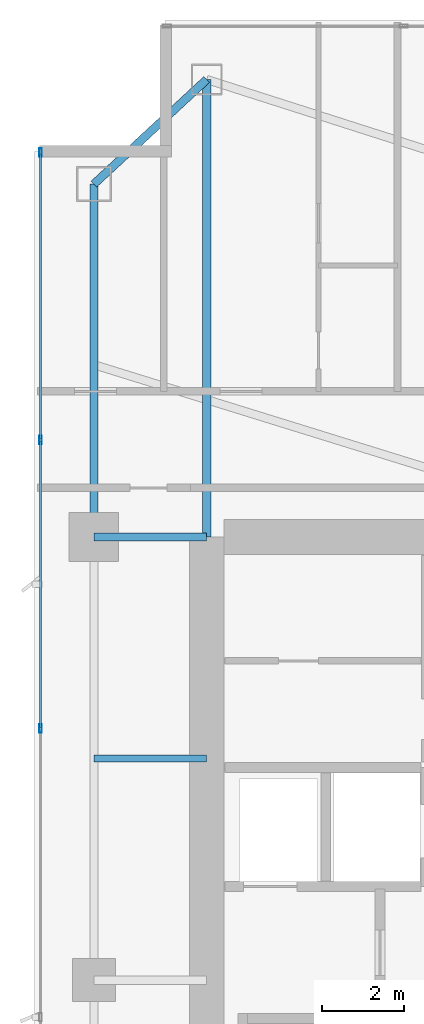
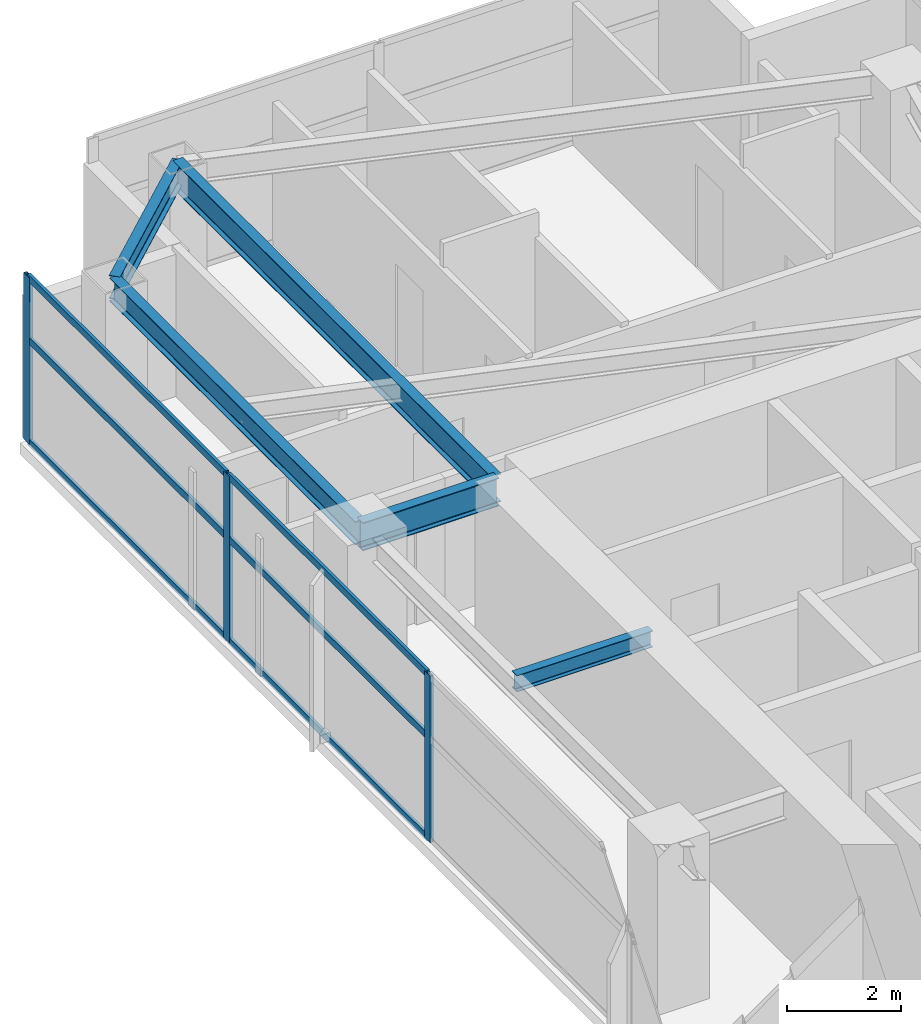
# One storey, part 16 of 28: 9 members, 5 beams, 1 element without a shape of its own.
"""IFC4 building model written with IfcOpenShell, lengths in metres."""

from ifc_helpers import new_model, si_unit, direction, frame, origin, origin_2d, place, context, subcontext, project, spatial, hollow_rectangle, i_section, extrude, material, layer, layer_set, material_profile, profile_set, type_object, element, aggregate, save


model = new_model("IFC4")

# Units and contexts
model_context = context("Model", 3, precision=1e-05, world=origin(), true_north=direction((0.0, 1.0)))
body_context = subcontext(model_context, "Body", "Model", "MODEL_VIEW")
ifc_project = project(units=[si_unit("LENGTHUNIT", "METRE"), si_unit("AREAUNIT", "SQUARE_METRE"), si_unit("VOLUMEUNIT", "CUBIC_METRE"), si_unit("PLANEANGLEUNIT", "RADIAN"), si_unit("MASSUNIT", "GRAM", prefix="KILO")], contexts=[model_context])

# Site, building, storey
site_placement = place(None, origin())
site = spatial("IfcSite", under=ifc_project, at=site_placement, CompositionType="ELEMENT")
building_placement = place(site_placement, origin())
building = spatial("IfcBuilding", under=site, at=building_placement, Name="Calvorn Quay Hotel", CompositionType="ELEMENT")
storey_placement = place(building_placement, frame((0.0, 0.0, 156.10009765625)))
storey = spatial("IfcBuildingStorey", under=building, at=storey_placement, Name="L38", CompositionType="ELEMENT", Elevation=156.10009765625)

# Beams
ifc_material_1 = material(Name="Steel Q355B", Category="steel")
ifc_material_profile_1 = material_profile(ifc_material_1, i_section(OverallWidth=0.199951171875, OverallDepth=0.60009765625, WebThickness=0.010986328125, FlangeThickness=0.01708984375, FilletRadius=0.01806640625, at=origin_2d()), Name="HN600x200x11x17")
ifc_profile_set_1 = profile_set([ifc_material_profile_1], Name="Steel Q355B")
beam_type_1 = type_object("IfcBeamType", Name="BM-GIRD-TYP", PredefinedType="BEAM", material=ifc_profile_set_1)
beam_1_placement = place(storey_placement, frame((1.449951171875, 38.39990234375, 3.239990234375), z_axis=(1.0, 0.0, 0.0), x_axis=(0.0, 1.0, 0.0)))
element("IfcBeam", 1, at=beam_1_placement, inside=storey, type_object=beam_type_1, Name="Beam BG-L38-W3", PredefinedType="BEAM", context=body_context, shape_type="SweptSolid", body=[
    extrude(i_section(OverallWidth=0.199951171875, OverallDepth=0.60009765625, WebThickness=0.010986328125, FlangeThickness=0.01708984375, FilletRadius=0.01806640625, at=origin_2d()), origin(), (0.0, 0.0, 1.0), 2.75),
])
beam_2_placement = place(storey_placement, frame((4.199951171875, 49.550048828125, 3.239990234375), z_axis=(0.0, -1.0, 0.0), x_axis=(1.0, 0.0, 0.0)))
element("IfcBeam", 2, at=beam_2_placement, inside=storey, type_object=beam_type_1, Name="Beam BG-L38-W5", PredefinedType="BEAM", context=body_context, shape_type="SweptSolid", body=[
    extrude(i_section(OverallWidth=0.199951171875, OverallDepth=0.60009765625, WebThickness=0.010986328125, FlangeThickness=0.01708984375, FilletRadius=0.01806640625, at=origin_2d()), origin(), (0.0, 0.0, 1.0), 11.150146484375),
])
ifc_material_2 = material(Name="Steel Q355B", Category="steel")
ifc_material_profile_2 = material_profile(ifc_material_2, i_section(OverallWidth=0.175048828125, OverallDepth=0.35009765625, WebThickness=0.007080078125, FlangeThickness=0.010986328125, FilletRadius=0.013916015625, at=origin_2d()), Name="HN350x175x7x11")
ifc_profile_set_2 = profile_set([ifc_material_profile_2], Name="Steel Q355B")
beam_type_2 = type_object("IfcBeamType", Name="BM-JOIST-SEC", PredefinedType="JOIST", material=ifc_profile_set_2)
beam_3_placement = place(storey_placement, frame((1.449951171875, 33.0, 3.364990234375), z_axis=(1.0, 0.0, 0.0), x_axis=(0.0, 1.0, 0.0)))
element("IfcBeam", 3, at=beam_3_placement, inside=storey, type_object=beam_type_2, Name="Beam BJ-L38-W4", PredefinedType="JOIST", context=body_context, shape_type="SweptSolid", body=[
    extrude(i_section(OverallWidth=0.175048828125, OverallDepth=0.35009765625, WebThickness=0.007080078125, FlangeThickness=0.010986328125, FilletRadius=0.013916015625, at=origin_2d()), origin(), (0.0, 0.0, 1.0), 2.75),
])
ifc_material_3 = material(Name="Steel Q355B", Category="steel")
ifc_material_profile_3 = material_profile(ifc_material_3, i_section(OverallWidth=0.199951171875, OverallDepth=0.5, WebThickness=0.010009765625, FlangeThickness=0.01611328125, FilletRadius=0.01611328125, at=origin_2d()), Name="HN500x200x10x16")
ifc_profile_set_3 = profile_set([ifc_material_profile_3], Name="Steel Q355B")
beam_type_3 = type_object("IfcBeamType", Name="BM-SPANDREL-Z1", PredefinedType="SPANDREL", material=ifc_profile_set_3)
beam_4_placement = place(storey_placement, frame((1.449951171875, 38.39990234375, 3.289794921875), z_axis=(0.0, 1.0, 0.0), x_axis=(-1.0, 0.0, 0.0)))
element("IfcBeam", 4, at=beam_4_placement, inside=storey, type_object=beam_type_3, Name="Beam BSP-L38-W4", PredefinedType="SPANDREL", context=body_context, shape_type="SweptSolid", body=[
    extrude(i_section(OverallWidth=0.199951171875, OverallDepth=0.5, WebThickness=0.010009765625, FlangeThickness=0.01611328125, FilletRadius=0.01611328125, at=origin_2d()), origin(), (0.0, 0.0, 1.0), 8.60009765625),
])
beam_5_placement = place(storey_placement, frame((1.449951171875, 47.0, 3.289794921875), z_axis=(0.733261665538, 0.679946563969, 0.0), x_axis=(-0.679946563969, 0.733261665538, 0.0)))
element("IfcBeam", 5, at=beam_5_placement, inside=storey, type_object=beam_type_3, Name="Beam BSP-L38-W5", PredefinedType="SPANDREL", context=body_context, shape_type="SweptSolid", body=[
    extrude(i_section(OverallWidth=0.199951171875, OverallDepth=0.5, WebThickness=0.010009765625, FlangeThickness=0.01611328125, FilletRadius=0.01611328125, at=origin_2d()), origin(), (0.0, 0.0, 1.0), 3.75048828125),
])

# Curtain wall, members
ifc_material_4 = material(Name="Pale Anodised Aluminium and Low-E Glass", Category="aluminium")
ifc_layer = layer(ifc_material_4, 0.219970703125)
ifc_layer_set = layer_set([ifc_layer], Name="CW-SYS-Z2")
curtain_wall_type = type_object("IfcCurtainWallType", Name="CW-SYS-Z2", PredefinedType="NOTDEFINED", material=ifc_layer_set)
curtain_wall_placement = place(storey_placement, origin())
curtain_wall = element("IfcCurtainWall", 6, at=curtain_wall_placement, inside=storey, type_object=curtain_wall_type, Name="Tower West Curtain Wall (L38)", PredefinedType="NOTDEFINED")
ifc_material_5 = material(Name="Pale Anodised Aluminium 6063-T6", Category="aluminium")
ifc_material_profile_4 = material_profile(ifc_material_5, hollow_rectangle(XDim=0.070068359375, YDim=0.199951171875, WallThickness=0.00390625, at=origin_2d()), Name="ALU-M200x70x4")
ifc_profile_set_4 = profile_set([ifc_material_profile_4], Name="Pale Anodised Aluminium 6063-T6")
member_type_1 = type_object("IfcMemberType", Name="CW-SYS-Z2-MUL", PredefinedType="MULLION", material=ifc_profile_set_4)
member_1_placement = place(storey_placement, frame((0.14990234375, 33.7333984375, 0.0), z_axis=(0.0, 0.0, 1.0), x_axis=(-1.0, 0.0, 0.0)))
member_1 = element("IfcMember", 7, at=member_1_placement, type_object=member_type_1, Name="CW-L38-W mullion 5", PredefinedType="MULLION", context=body_context, shape_type="SweptSolid", body=[
    extrude(hollow_rectangle(XDim=0.070068359375, YDim=0.199951171875, WallThickness=0.00390625, at=origin_2d()), origin(), (0.0, 0.0, 1.0), 3.559814453125),
])
member_2_placement = place(storey_placement, frame((0.14990234375, 40.7666015625, 0.0), z_axis=(0.0, 0.0, 1.0), x_axis=(-1.0, 0.0, 0.0)))
member_2 = element("IfcMember", 8, at=member_2_placement, type_object=member_type_1, Name="CW-L38-W mullion 6", PredefinedType="MULLION", context=body_context, shape_type="SweptSolid", body=[
    extrude(hollow_rectangle(XDim=0.070068359375, YDim=0.199951171875, WallThickness=0.00390625, at=origin_2d()), origin(), (0.0, 0.0, 1.0), 3.559814453125),
])
member_3_placement = place(storey_placement, frame((0.14990234375, 47.77001953125, 0.0), z_axis=(0.0, 0.0, 1.0), x_axis=(-1.0, 0.0, 0.0)))
member_3 = element("IfcMember", 9, at=member_3_placement, type_object=member_type_1, Name="CW-L38-W mullion 7", PredefinedType="MULLION", context=body_context, shape_type="SweptSolid", body=[
    extrude(hollow_rectangle(XDim=0.070068359375, YDim=0.199951171875, WallThickness=0.00390625, at=origin_2d()), origin(), (0.0, 0.0, 1.0), 3.559814453125),
])
ifc_material_6 = material(Name="Pale Anodised Aluminium 6063-T6", Category="aluminium")
ifc_material_profile_5 = material_profile(ifc_material_6, hollow_rectangle(XDim=0.06005859375, YDim=0.14990234375, WallThickness=0.00341796875, at=origin_2d()), Name="ALU-T150x60x3.5")
ifc_profile_set_5 = profile_set([ifc_material_profile_5], Name="Pale Anodised Aluminium 6063-T6")
member_type_2 = type_object("IfcMemberType", Name="CW-SYS-Z2-TRN", PredefinedType="USERDEFINED", material=ifc_profile_set_5)
member_4_placement = place(storey_placement, frame((0.14990234375, 33.763427734375, 0.02978515625), z_axis=(0.0, 1.0, 0.0), x_axis=(-1.0, 0.0, 0.0)))
member_4 = element("IfcMember", 10, at=member_4_placement, type_object=member_type_2, Name="CW-L38-W transom 5.1", ObjectType="TRANSOM", PredefinedType="USERDEFINED", context=body_context, shape_type="SweptSolid", body=[
    extrude(hollow_rectangle(XDim=0.06005859375, YDim=0.14990234375, WallThickness=0.00341796875, at=origin_2d()), origin(), (0.0, 0.0, 1.0), 6.97314453125),
])
member_5_placement = place(storey_placement, frame((0.14990234375, 33.763427734375, 2.199951171875), z_axis=(0.0, 1.0, 0.0), x_axis=(-1.0, 0.0, 0.0)))
member_5 = element("IfcMember", 11, at=member_5_placement, type_object=member_type_2, Name="CW-L38-W transom 5.2", ObjectType="TRANSOM", PredefinedType="USERDEFINED", context=body_context, shape_type="SweptSolid", body=[
    extrude(hollow_rectangle(XDim=0.06005859375, YDim=0.14990234375, WallThickness=0.00341796875, at=origin_2d()), origin(), (0.0, 0.0, 1.0), 6.97314453125),
])
member_6_placement = place(storey_placement, frame((0.14990234375, 33.763427734375, 3.52978515625), z_axis=(0.0, 1.0, 0.0), x_axis=(-1.0, 0.0, 0.0)))
member_6 = element("IfcMember", 12, at=member_6_placement, type_object=member_type_2, Name="CW-L38-W transom 5.3", ObjectType="TRANSOM", PredefinedType="USERDEFINED", context=body_context, shape_type="SweptSolid", body=[
    extrude(hollow_rectangle(XDim=0.06005859375, YDim=0.14990234375, WallThickness=0.00341796875, at=origin_2d()), origin(), (0.0, 0.0, 1.0), 6.97314453125),
])
member_7_placement = place(storey_placement, frame((0.14990234375, 40.796630859375, 0.02978515625), z_axis=(0.0, 1.0, 0.0), x_axis=(-1.0, 0.0, 0.0)))
member_7 = element("IfcMember", 13, at=member_7_placement, type_object=member_type_2, Name="CW-L38-W transom 6.1", ObjectType="TRANSOM", PredefinedType="USERDEFINED", context=body_context, shape_type="SweptSolid", body=[
    extrude(hollow_rectangle(XDim=0.06005859375, YDim=0.14990234375, WallThickness=0.00341796875, at=origin_2d()), origin(), (0.0, 0.0, 1.0), 6.943359375),
])
member_8_placement = place(storey_placement, frame((0.14990234375, 40.796630859375, 2.199951171875), z_axis=(0.0, 1.0, 0.0), x_axis=(-1.0, 0.0, 0.0)))
member_8 = element("IfcMember", 14, at=member_8_placement, type_object=member_type_2, Name="CW-L38-W transom 6.2", ObjectType="TRANSOM", PredefinedType="USERDEFINED", context=body_context, shape_type="SweptSolid", body=[
    extrude(hollow_rectangle(XDim=0.06005859375, YDim=0.14990234375, WallThickness=0.00341796875, at=origin_2d()), origin(), (0.0, 0.0, 1.0), 6.943359375),
])
member_9_placement = place(storey_placement, frame((0.14990234375, 40.796630859375, 3.52978515625), z_axis=(0.0, 1.0, 0.0), x_axis=(-1.0, 0.0, 0.0)))
member_9 = element("IfcMember", 15, at=member_9_placement, type_object=member_type_2, Name="CW-L38-W transom 6.3", ObjectType="TRANSOM", PredefinedType="USERDEFINED", context=body_context, shape_type="SweptSolid", body=[
    extrude(hollow_rectangle(XDim=0.06005859375, YDim=0.14990234375, WallThickness=0.00341796875, at=origin_2d()), origin(), (0.0, 0.0, 1.0), 6.943359375),
])
aggregate(curtain_wall, [member_1, member_2, member_3, member_4, member_5, member_6, member_7, member_8, member_9])

save(model, "model.ifc")
